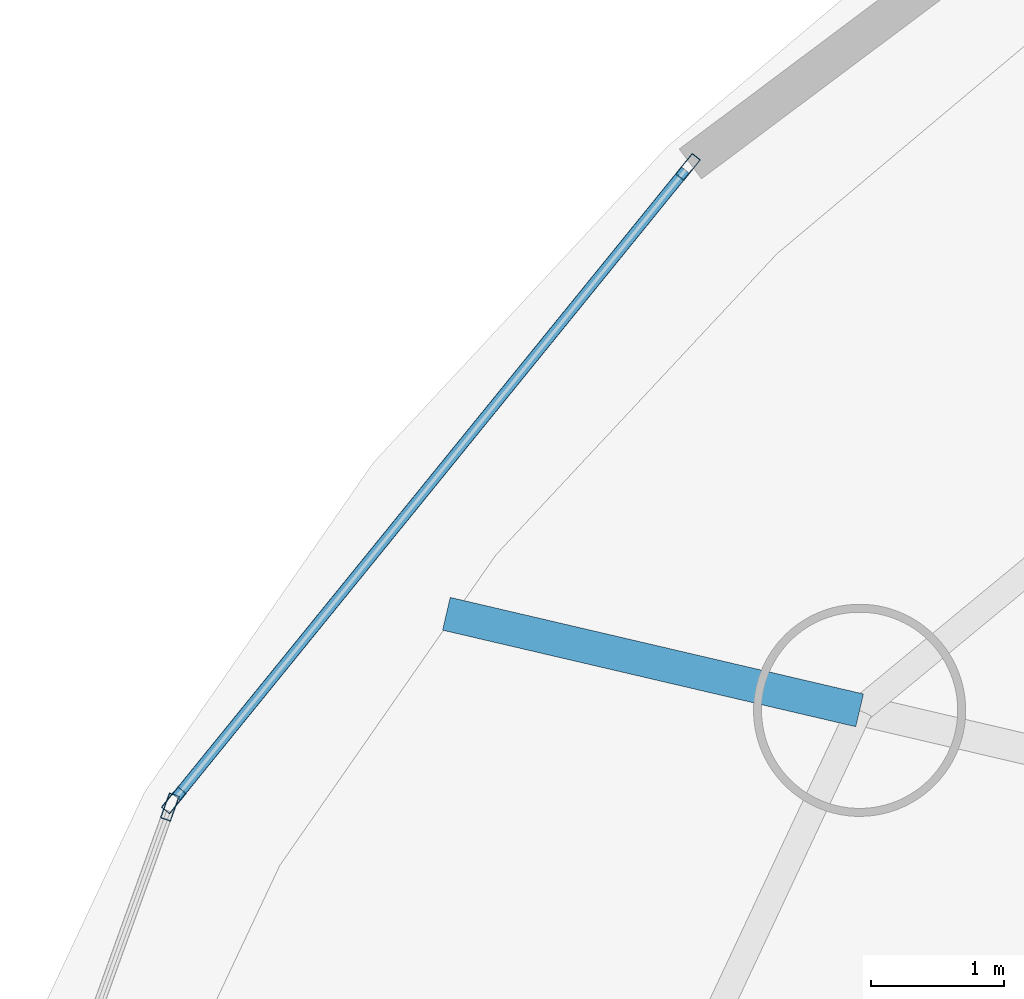
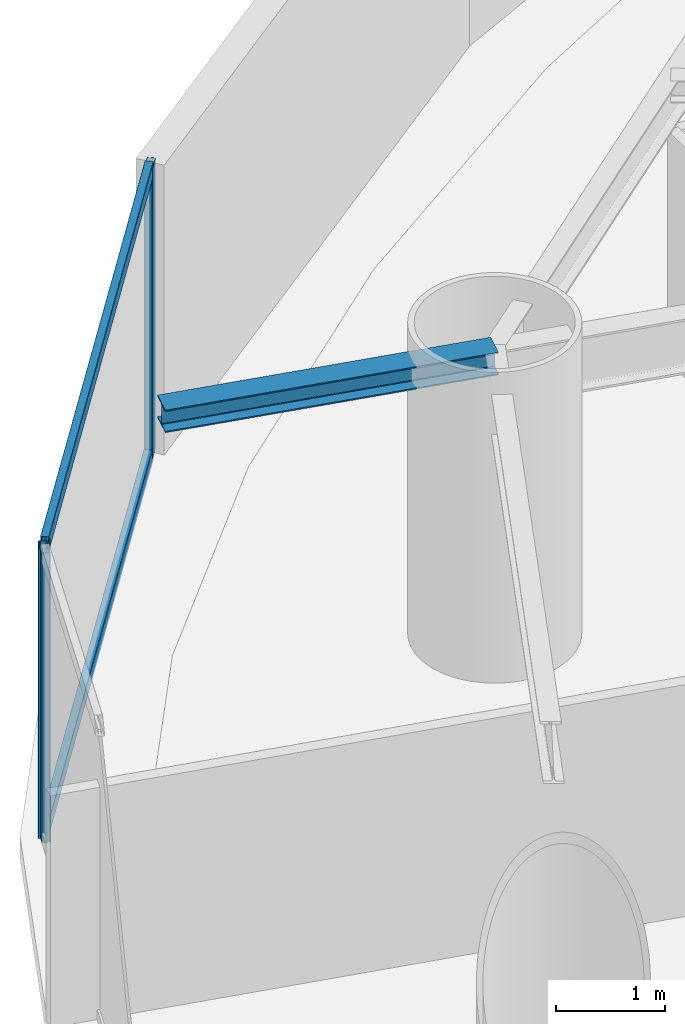
# One storey, part 11 of 23: 5 members, 1 beam, 2 elements without a shape of their own.
"""IFC4 building model written with IfcOpenShell, lengths in metres."""

from ifc_helpers import new_model, si_unit, direction, frame, origin, origin_2d, place, context, subcontext, project, spatial, hollow_rectangle, i_section, extrude, material, layer, layer_set, material_profile, profile_set, type_object, element, aggregate, save


model = new_model("IFC4")

# Units and contexts
model_context = context("Model", 3, precision=1e-05, world=origin(), true_north=direction((0.0, 1.0)))
body_context = subcontext(model_context, "Body", "Model", "MODEL_VIEW")
ifc_project = project(units=[si_unit("LENGTHUNIT", "METRE"), si_unit("AREAUNIT", "SQUARE_METRE"), si_unit("VOLUMEUNIT", "CUBIC_METRE"), si_unit("PLANEANGLEUNIT", "RADIAN"), si_unit("MASSUNIT", "GRAM", prefix="KILO")], contexts=[model_context])

# Site, building, storey
site_placement = place(None, origin())
site = spatial("IfcSite", under=ifc_project, at=site_placement, CompositionType="ELEMENT")
building_placement = place(site_placement, origin())
building = spatial("IfcBuilding", under=site, at=building_placement, Name="Bramvorn Convention Spire", CompositionType="ELEMENT")
storey_placement = place(building_placement, frame((0.0, 0.0, 69.39990234375)))
storey = spatial("IfcBuildingStorey", under=building, at=storey_placement, Name="L15", CompositionType="ELEMENT", Elevation=69.39990234375)

# Beam
ifc_material_1 = material(Name="Steel CSA G40.21 Grade 350 (350W)", Category="steel")
ifc_material_profile_1 = material_profile(ifc_material_1, i_section(OverallWidth=0.25390625, OverallDepth=0.2529296875, WebThickness=0.008544921875, FlangeThickness=0.01416015625, FilletRadius=0.011962890625, at=origin_2d()))
ifc_profile_set_1 = profile_set([ifc_material_profile_1], Name="Steel CSA G40.21 Grade 350 (350W) - W250X73")
beam_type = type_object("IfcBeamType", Name="BM-W250X73", PredefinedType="BEAM", material=ifc_profile_set_1)
beam_placement = place(storey_placement, frame((12.64111328125, 36.746337890625, 3.12353515625), z_axis=(-0.973778145797, 0.227499720367, 0.0), x_axis=(-0.227499720367, -0.973778145797, 0.0)))
element("IfcBeam", 1, at=beam_placement, inside=storey, type_object=beam_type, Name="L15 slab-edge cantilever tip beam MC08", PredefinedType="BEAM", context=body_context, shape_type="SweptSolid", body=[
    extrude(i_section(OverallWidth=0.25390625, OverallDepth=0.2529296875, WebThickness=0.008544921875, FlangeThickness=0.01416015625, FilletRadius=0.011962890625, at=origin_2d()), origin(), (0.0, 0.0, 1.0), 3.2001953125),
])

# Curtain wall, members
ifc_material_2 = material(Name="Anodised Bronze Unitised Curtain Wall", Category="aluminium")
ifc_layer = layer(ifc_material_2, 0.179931640625)
ifc_layer_set = layer_set([ifc_layer], Name="Anodised Bronze Unitised Curtain Wall - CW-HTL-FRIT")
curtain_wall_type = type_object("IfcCurtainWallType", Name="CW-HTL-FRIT", PredefinedType="USERDEFINED", material=ifc_layer_set)
curtain_wall_1_placement = place(storey_placement, origin())
curtain_wall_1 = element("IfcCurtainWall", 2, at=curtain_wall_1_placement, inside=storey, type_object=curtain_wall_type, Name="L15 fritted glass curtain wall 11", ObjectType="UNITISED CURTAIN WALL", PredefinedType="USERDEFINED")
ifc_material_3 = material(Name="Anodised Bronze Aluminium 6063-T6", Category="aluminium")
ifc_material_profile_2 = material_profile(ifc_material_3, hollow_rectangle(XDim=0.080078125, YDim=0.199951171875, WallThickness=0.00390625, InnerFilletRadius=0.0009765625, OuterFilletRadius=0.00390625, at=origin_2d()))
ifc_profile_set_2 = profile_set([ifc_material_profile_2], Name="Anodised Bronze Aluminium 6063-T6 - CWM80X200")
member_type_1 = type_object("IfcMemberType", Name="CW-MUL-180", PredefinedType="MULLION", material=ifc_profile_set_2)
member_1_placement = place(storey_placement, frame((7.46875, 36.06787109375, 0.0), z_axis=(0.0, 0.0, 1.0), x_axis=(-0.776360141167, 0.630289561398, 0.0)))
member_1 = element("IfcMember", 3, at=member_1_placement, type_object=member_type_1, Name="CW2 mullion 1", PredefinedType="MULLION", context=body_context, shape_type="SweptSolid", body=[
    extrude(hollow_rectangle(XDim=0.080078125, YDim=0.199951171875, WallThickness=0.00390625, InnerFilletRadius=0.0009765625, OuterFilletRadius=0.00390625, at=origin_2d()), origin(), (0.0, 0.0, 1.0), 3.25),
])
member_2_placement = place(storey_placement, frame((11.346435546875, 40.84423828125, 0.0), z_axis=(0.0, 0.0, 1.0), x_axis=(-0.776360141167, 0.630289561398, 0.0)))
member_2 = element("IfcMember", 4, at=member_2_placement, type_object=member_type_1, Name="CW2 mullion 2", PredefinedType="MULLION", context=body_context, shape_type="SweptSolid", body=[
    extrude(hollow_rectangle(XDim=0.080078125, YDim=0.199951171875, WallThickness=0.00390625, InnerFilletRadius=0.0009765625, OuterFilletRadius=0.00390625, at=origin_2d()), origin(), (0.0, 0.0, 1.0), 3.25),
])

# Curtain wall, member
curtain_wall_2_placement = place(storey_placement, origin())
curtain_wall_2 = element("IfcCurtainWall", 5, at=curtain_wall_2_placement, inside=storey, type_object=curtain_wall_type, Name="L15 fritted glass curtain wall 12", ObjectType="UNITISED CURTAIN WALL", PredefinedType="USERDEFINED")
member_3_placement = place(storey_placement, frame((7.439697265625, 36.0166015625, 0.0), z_axis=(0.0, 0.0, 1.0), x_axis=(-0.94065716223, 0.339358369788, 0.0)))
member_3 = element("IfcMember", 6, at=member_3_placement, type_object=member_type_1, Name="CW2 mullion 2", PredefinedType="MULLION", context=body_context, shape_type="SweptSolid", body=[
    extrude(hollow_rectangle(XDim=0.080078125, YDim=0.199951171875, WallThickness=0.00390625, InnerFilletRadius=0.0009765625, OuterFilletRadius=0.00390625, at=origin_2d()), origin(), (0.0, 0.0, 1.0), 3.25),
])
aggregate(curtain_wall_2, [member_3])

# Member
ifc_material_profile_3 = material_profile(ifc_material_3, hollow_rectangle(XDim=0.080078125, YDim=0.159912109375, WallThickness=0.00390625, InnerFilletRadius=0.0009765625, OuterFilletRadius=0.00390625, at=origin_2d()))
ifc_profile_set_3 = profile_set([ifc_material_profile_3], Name="Anodised Bronze Aluminium 6063-T6 - CWT80X160")
member_type_2 = type_object("IfcMemberType", Name="CW-TRN-150", PredefinedType="USERDEFINED", material=ifc_profile_set_3)
member_4_placement = place(storey_placement, frame((7.48779296875, 36.09130859375, 0.030029296875), z_axis=(0.630284787171, 0.776364017109, 0.0), x_axis=(-0.776364017109, 0.630284787171, 0.0)))
member_4 = element("IfcMember", 7, at=member_4_placement, type_object=member_type_2, Name="CW2 transom 1.1", ObjectType="TRANSOM", PredefinedType="USERDEFINED", context=body_context, shape_type="SweptSolid", body=[
    extrude(hollow_rectangle(XDim=0.080078125, YDim=0.159912109375, WallThickness=0.00390625, InnerFilletRadius=0.0009765625, OuterFilletRadius=0.00390625, at=origin_2d()), origin(), (0.0, 0.0, 1.0), 6.091796875),
])

member_5_placement = place(storey_placement, frame((7.48779296875, 36.09130859375, 3.22021484375), z_axis=(0.630284787171, 0.776364017109, 0.0), x_axis=(-0.776364017109, 0.630284787171, 0.0)))
member_5 = element("IfcMember", 8, at=member_5_placement, type_object=member_type_2, Name="CW2 transom 1.2", ObjectType="TRANSOM", PredefinedType="USERDEFINED", context=body_context, shape_type="SweptSolid", body=[
    extrude(hollow_rectangle(XDim=0.080078125, YDim=0.159912109375, WallThickness=0.00390625, InnerFilletRadius=0.0009765625, OuterFilletRadius=0.00390625, at=origin_2d()), origin(), (0.0, 0.0, 1.0), 6.091796875),
])

aggregate(curtain_wall_1, [member_1, member_2, member_4, member_5])

save(model, "model.ifc")
